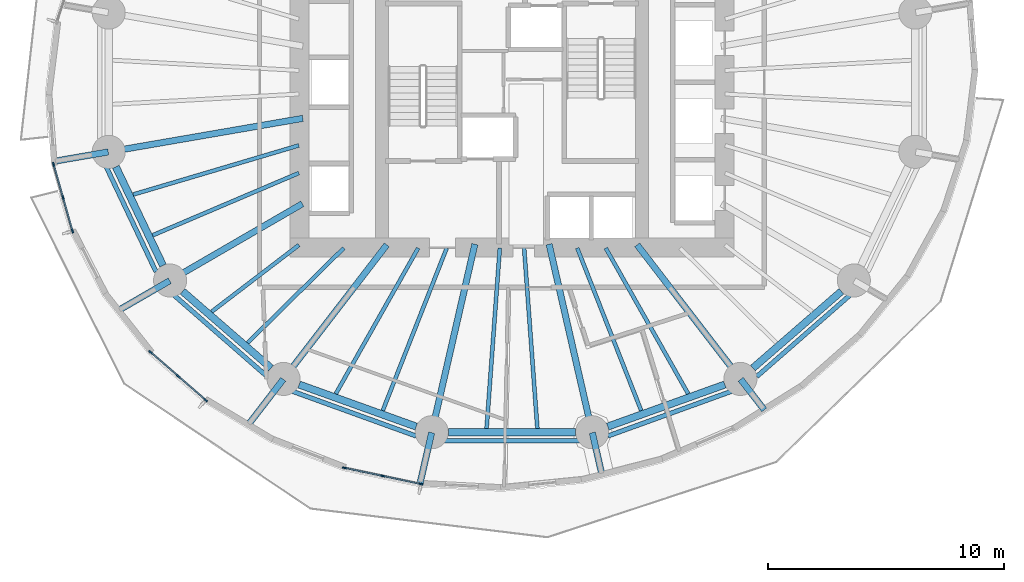
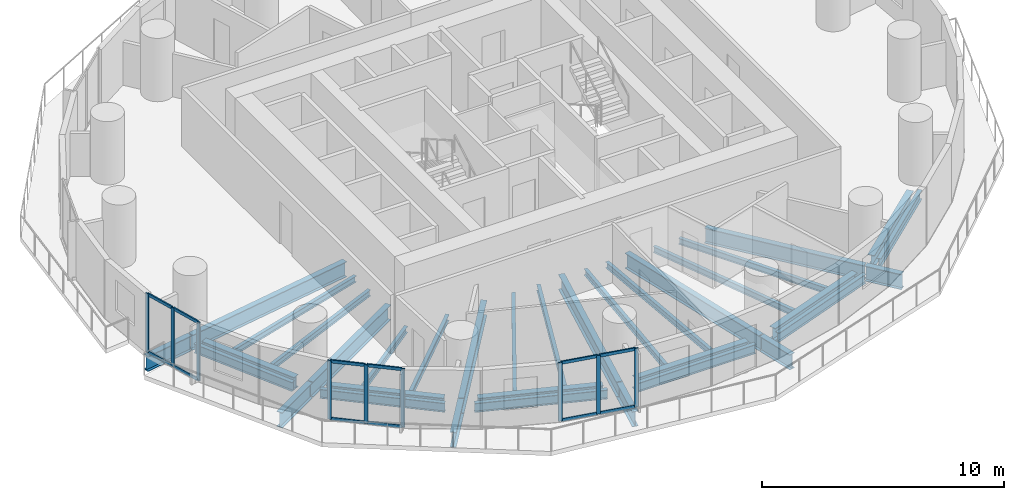
# One storey, part 2 of 14: 34 beams, 21 members, 3 elements without a shape of their own.
"""IFC4 building model written with IfcOpenShell, lengths in metres."""

from ifc_helpers import new_model, si_unit, direction, frame, origin, origin_2d, place, context, subcontext, project, spatial, rectangle, i_section, extrude, material, material_profile, profile_set, type_object, element, aggregate, save


model = new_model("IFC4")

# Units and contexts
model_context = context("Model", 3, precision=1e-05, world=origin(), true_north=direction((0.0, 1.0)))
body_context = subcontext(model_context, "Body", "Model", "MODEL_VIEW")
ifc_project = project(units=[si_unit("LENGTHUNIT", "METRE"), si_unit("AREAUNIT", "SQUARE_METRE"), si_unit("VOLUMEUNIT", "CUBIC_METRE"), si_unit("PLANEANGLEUNIT", "RADIAN"), si_unit("MASSUNIT", "GRAM", prefix="KILO")], contexts=[model_context])

# Site, building, storey
site_placement = place(None, origin())
site = spatial("IfcSite", under=ifc_project, at=site_placement, CompositionType="ELEMENT")
building_placement = place(site_placement, origin())
building = spatial("IfcBuilding", under=site, at=building_placement, Name="Veldorim Arch Residences", CompositionType="ELEMENT")
storey_placement = place(building_placement, frame((0.0, 0.0, 50.39990234375)))
storey = spatial("IfcBuildingStorey", under=building, at=storey_placement, Name="L14", CompositionType="ELEMENT", Elevation=50.39990234375)

# Beams
ifc_material_1 = material(Name="Steel S355", Category="steel")
ifc_material_profile_1 = material_profile(ifc_material_1, i_section(OverallWidth=0.30712890625, OverallDepth=0.6201171875, WebThickness=0.01416015625, FlangeThickness=0.023681640625, at=origin_2d()), Name="UB610x305x179")
ifc_profile_set_1 = profile_set([ifc_material_profile_1], Name="Steel S355")
beam_type_1 = type_object("IfcBeamType", Name="Structural Steel Beam UB610x305x179", PredefinedType="BEAM", material=ifc_profile_set_1)
beam_1_placement = place(storey_placement, frame((15.23583984375, 20.42236328125, -0.550048828125), z_axis=(0.430776422552, -0.902458682585, 0.0), x_axis=(0.902458682585, 0.430776422552, 0.0)))
element("IfcBeam", 1, at=beam_1_placement, inside=storey, type_object=beam_type_1, Name="L14 perimeter ring tie beam 09", PredefinedType="BEAM", context=body_context, shape_type="SweptSolid", body=[
    extrude(i_section(OverallWidth=0.30712890625, OverallDepth=0.6201171875, WebThickness=0.01416015625, FlangeThickness=0.023681640625, at=origin_2d()), origin(), (0.0, 0.0, 1.0), 4.63134765625),
])
beam_2_placement = place(storey_placement, frame((18.06103515625, 15.152099609375, -0.550048828125), z_axis=(0.755264734985, -0.655419850239, 0.0), x_axis=(0.655419850239, 0.755264734985, 0.0)))
element("IfcBeam", 2, at=beam_2_placement, inside=storey, type_object=beam_type_1, Name="L14 perimeter ring tie beam 10", PredefinedType="BEAM", context=body_context, shape_type="SweptSolid", body=[
    extrude(i_section(OverallWidth=0.30712890625, OverallDepth=0.6201171875, WebThickness=0.01416015625, FlangeThickness=0.023681640625, at=origin_2d()), origin(), (0.0, 0.0, 1.0), 4.956298828125),
])
beam_3_placement = place(storey_placement, frame((22.99169921875, 11.2080078125, -0.550048828125), z_axis=(0.941058113369, -0.338244922006, 0.0), x_axis=(0.338244922006, 0.941058113369, 0.0)))
element("IfcBeam", 3, at=beam_3_placement, inside=storey, type_object=beam_type_1, Name="L14 perimeter ring tie beam 11", PredefinedType="BEAM", context=body_context, shape_type="SweptSolid", body=[
    extrude(i_section(OverallWidth=0.30712890625, OverallDepth=0.6201171875, WebThickness=0.01416015625, FlangeThickness=0.023681640625, at=origin_2d()), origin(), (0.0, 0.0, 1.0), 5.265380859375),
])
beam_4_placement = place(storey_placement, frame((29.305419921875, 9.190185546875, -0.550048828125), z_axis=(1.0, 0.0, 0.0), x_axis=(0.0, 1.0, 0.0)))
element("IfcBeam", 4, at=beam_4_placement, inside=storey, type_object=beam_type_1, Name="L14 perimeter ring tie beam 12", PredefinedType="BEAM", context=body_context, shape_type="SweptSolid", body=[
    extrude(i_section(OverallWidth=0.30712890625, OverallDepth=0.6201171875, WebThickness=0.01416015625, FlangeThickness=0.023681640625, at=origin_2d()), origin(), (0.0, 0.0, 1.0), 5.38916015625),
])
beam_5_placement = place(storey_placement, frame((36.05322265625, 9.427001953125, -0.550048828125), z_axis=(0.941058113369, 0.338244922006, 0.0), x_axis=(-0.338244922006, 0.941058113369, 0.0)))
element("IfcBeam", 5, at=beam_5_placement, inside=storey, type_object=beam_type_1, Name="L14 perimeter ring tie beam 13", PredefinedType="BEAM", context=body_context, shape_type="SweptSolid", body=[
    extrude(i_section(OverallWidth=0.30712890625, OverallDepth=0.6201171875, WebThickness=0.01416015625, FlangeThickness=0.023681640625, at=origin_2d()), origin(), (0.0, 0.0, 1.0), 5.265380859375),
])
beam_6_placement = place(storey_placement, frame((42.195556640625, 11.903564453125, -0.550048828125), z_axis=(0.755264734985, 0.655419850239, 0.0), x_axis=(-0.655419850239, 0.755264734985, 0.0)))
element("IfcBeam", 6, at=beam_6_placement, inside=storey, type_object=beam_type_1, Name="L14 perimeter ring tie beam 14", PredefinedType="BEAM", context=body_context, shape_type="SweptSolid", body=[
    extrude(i_section(OverallWidth=0.30712890625, OverallDepth=0.6201171875, WebThickness=0.01416015625, FlangeThickness=0.023681640625, at=origin_2d()), origin(), (0.0, 0.0, 1.0), 4.956298828125),
])
ifc_material_2 = material(Name="Steel S355", Category="steel")
ifc_material_profile_2 = material_profile(ifc_material_2, i_section(OverallWidth=0.26806640625, OverallDepth=0.769775390625, WebThickness=0.015625, FlangeThickness=0.025390625, at=origin_2d()), Name="UB762x267x197")
ifc_profile_set_2 = profile_set([ifc_material_profile_2], Name="Steel S355")
beam_type_2 = type_object("IfcBeamType", Name="Structural Steel GIRDER UB762x267x197", PredefinedType="USERDEFINED", material=ifc_profile_set_2)
beam_7_placement = place(storey_placement, frame((23.147705078125, 22.471923828125, -0.624755859375), z_axis=(-0.985427548249, -0.170095699979, 0.0), x_axis=(0.170095699979, -0.985427548249, 0.0)))
element("IfcBeam", 7, at=beam_7_placement, inside=storey, type_object=beam_type_2, Name="L14 radial floor girder 09", ObjectType="GIRDER", PredefinedType="USERDEFINED", context=body_context, shape_type="SweptSolid", body=[
    extrude(i_section(OverallWidth=0.26806640625, OverallDepth=0.769775390625, WebThickness=0.015625, FlangeThickness=0.025390625, at=origin_2d()), origin(), (0.0, 0.0, 1.0), 8.314697265625),
])
beam_8_placement = place(storey_placement, frame((14.91455078125, 21.05078125, -0.624755859375), z_axis=(-0.98542353719, -0.170118935902, 0.0), x_axis=(0.170118935902, -0.98542353719, 0.0)))
element("IfcBeam", 8, at=beam_8_placement, inside=storey, type_object=beam_type_2, Name="L14 radial edge cantilever girder 09", ObjectType="GIRDER", PredefinedType="USERDEFINED", context=body_context, shape_type="SweptSolid", body=[
    extrude(i_section(OverallWidth=0.26806640625, OverallDepth=0.769775390625, WebThickness=0.015625, FlangeThickness=0.025390625, at=origin_2d()), origin(), (0.0, 0.0, 1.0), 2.35205078125),
])
beam_9_placement = place(storey_placement, frame((23.1298828125, 18.8564453125, -0.624755859375), z_axis=(-0.865088348752, -0.501619525989, 0.0), x_axis=(0.501619525989, -0.865088348752, 0.0)))
element("IfcBeam", 9, at=beam_9_placement, inside=storey, type_object=beam_type_2, Name="L14 radial floor girder 10", ObjectType="GIRDER", PredefinedType="USERDEFINED", context=body_context, shape_type="SweptSolid", body=[
    extrude(i_section(OverallWidth=0.26806640625, OverallDepth=0.769775390625, WebThickness=0.015625, FlangeThickness=0.025390625, at=origin_2d()), origin(), (0.0, 0.0, 1.0), 6.4501953125),
])
beam_10_placement = place(storey_placement, frame((17.51513671875, 15.600830078125, -0.624755859375), z_axis=(-0.86507809522, -0.501637208718, 0.0), x_axis=(0.501637208718, -0.86507809522, 0.0)))
element("IfcBeam", 10, at=beam_10_placement, inside=storey, type_object=beam_type_2, Name="L14 radial edge cantilever girder 10", ObjectType="GIRDER", PredefinedType="USERDEFINED", context=body_context, shape_type="SweptSolid", body=[
    extrude(i_section(OverallWidth=0.26806640625, OverallDepth=0.769775390625, WebThickness=0.015625, FlangeThickness=0.025390625, at=origin_2d()), origin(), (0.0, 0.0, 1.0), 2.52978515625),
])
beam_11_placement = place(storey_placement, frame((26.701904296875, 17.118896484375, -0.624755859375), z_axis=(-0.610082439157, -0.792337943956, 0.0), x_axis=(0.792337943956, -0.610082439157, 0.0)))
element("IfcBeam", 11, at=beam_11_placement, inside=storey, type_object=beam_type_2, Name="L14 radial floor girder 11", ObjectType="GIRDER", PredefinedType="USERDEFINED", context=body_context, shape_type="SweptSolid", body=[
    extrude(i_section(OverallWidth=0.26806640625, OverallDepth=0.769775390625, WebThickness=0.015625, FlangeThickness=0.025390625, at=origin_2d()), origin(), (0.0, 0.0, 1.0), 7.14111328125),
])
beam_12_placement = place(storey_placement, frame((22.32080078125, 11.428955078125, -0.624755859375), z_axis=(-0.609999263859, -0.792401980116, 0.0), x_axis=(0.792401980116, -0.609999263859, 0.0)))
element("IfcBeam", 12, at=beam_12_placement, inside=storey, type_object=beam_type_2, Name="L14 radial edge cantilever girder 11", ObjectType="GIRDER", PredefinedType="USERDEFINED", context=body_context, shape_type="SweptSolid", body=[
    extrude(i_section(OverallWidth=0.26806640625, OverallDepth=0.769775390625, WebThickness=0.015625, FlangeThickness=0.025390625, at=origin_2d()), origin(), (0.0, 0.0, 1.0), 2.453369140625),
])
beam_13_placement = place(storey_placement, frame((30.428955078125, 17.146240234375, -0.624755859375), z_axis=(-0.223411766201, -0.974724157248, 0.0), x_axis=(0.974724157248, -0.223411766201, 0.0)))
element("IfcBeam", 13, at=beam_13_placement, inside=storey, type_object=beam_type_2, Name="L14 radial floor girder 12", ObjectType="GIRDER", PredefinedType="USERDEFINED", context=body_context, shape_type="SweptSolid", body=[
    extrude(i_section(OverallWidth=0.26806640625, OverallDepth=0.769775390625, WebThickness=0.015625, FlangeThickness=0.025390625, at=origin_2d()), origin(), (0.0, 0.0, 1.0), 8.142333984375),
])
beam_14_placement = place(storey_placement, frame((28.600830078125, 9.170654296875, -0.624755859375), z_axis=(-0.223367414268, -0.974734321876, 0.0), x_axis=(0.974734321876, -0.223367414268, 0.0)))
element("IfcBeam", 14, at=beam_14_placement, inside=storey, type_object=beam_type_2, Name="L14 radial edge cantilever girder 12", ObjectType="GIRDER", PredefinedType="USERDEFINED", context=body_context, shape_type="SweptSolid", body=[
    extrude(i_section(OverallWidth=0.26806640625, OverallDepth=0.769775390625, WebThickness=0.015625, FlangeThickness=0.025390625, at=origin_2d()), origin(), (0.0, 0.0, 1.0), 2.211181640625),
])
beam_15_placement = place(storey_placement, frame((33.571044921875, 17.146240234375, -0.624755859375), z_axis=(0.223411766201, -0.974724157248, 0.0), x_axis=(0.974724157248, 0.223411766201, 0.0)))
element("IfcBeam", 15, at=beam_15_placement, inside=storey, type_object=beam_type_2, Name="L14 radial floor girder 13", ObjectType="GIRDER", PredefinedType="USERDEFINED", context=body_context, shape_type="SweptSolid", body=[
    extrude(i_section(OverallWidth=0.26806640625, OverallDepth=0.769775390625, WebThickness=0.015625, FlangeThickness=0.025390625, at=origin_2d()), origin(), (0.0, 0.0, 1.0), 8.142333984375),
])
beam_16_placement = place(storey_placement, frame((35.399169921875, 9.170654296875, -0.624755859375), z_axis=(0.223378778819, -0.974731717537, 0.0), x_axis=(0.974731717537, 0.223378778819, 0.0)))
element("IfcBeam", 16, at=beam_16_placement, inside=storey, type_object=beam_type_2, Name="L14 radial edge cantilever girder 13", ObjectType="GIRDER", PredefinedType="USERDEFINED", context=body_context, shape_type="SweptSolid", body=[
    extrude(i_section(OverallWidth=0.26806640625, OverallDepth=0.769775390625, WebThickness=0.015625, FlangeThickness=0.025390625, at=origin_2d()), origin(), (0.0, 0.0, 1.0), 1.8427734375),
])
beam_17_placement = place(storey_placement, frame((37.298095703125, 17.118896484375, -0.624755859375), z_axis=(0.610082439157, -0.792337943956, 0.0), x_axis=(0.792337943956, 0.610082439157, 0.0)))
element("IfcBeam", 17, at=beam_17_placement, inside=storey, type_object=beam_type_2, Name="L14 radial floor girder 14", ObjectType="GIRDER", PredefinedType="USERDEFINED", context=body_context, shape_type="SweptSolid", body=[
    extrude(i_section(OverallWidth=0.26806640625, OverallDepth=0.769775390625, WebThickness=0.015625, FlangeThickness=0.025390625, at=origin_2d()), origin(), (0.0, 0.0, 1.0), 7.14111328125),
])
beam_18_placement = place(storey_placement, frame((41.67919921875, 11.428955078125, -0.624755859375), z_axis=(0.610020580693, -0.792385569739, 0.0), x_axis=(0.792385569739, 0.610020580693, 0.0)))
element("IfcBeam", 18, at=beam_18_placement, inside=storey, type_object=beam_type_2, Name="L14 radial edge cantilever girder 14", ObjectType="GIRDER", PredefinedType="USERDEFINED", context=body_context, shape_type="SweptSolid", body=[
    extrude(i_section(OverallWidth=0.26806640625, OverallDepth=0.769775390625, WebThickness=0.015625, FlangeThickness=0.025390625, at=origin_2d()), origin(), (0.0, 0.0, 1.0), 1.63720703125),
])
ifc_material_3 = material(Name="Steel S355", Category="steel")
ifc_material_profile_3 = material_profile(ifc_material_3, i_section(OverallWidth=0.165771484375, OverallDepth=0.306640625, WebThickness=0.006591796875, FlangeThickness=0.01171875, at=origin_2d()), Name="UB305x165x46")
ifc_profile_set_3 = profile_set([ifc_material_profile_3], Name="Steel S355")
beam_type_3 = type_object("IfcBeamType", Name="Structural Steel Joist UB305x165x46", PredefinedType="JOIST", material=ifc_profile_set_3)
beam_19_placement = place(storey_placement, frame((22.980712890625, 21.32666015625, -0.393310546875), z_axis=(-0.958766778771, -0.284194060325, 0.0), x_axis=(0.284194060325, -0.958766778771, 0.0)))
element("IfcBeam", 19, at=beam_19_placement, inside=storey, type_object=beam_type_3, Name="L14 secondary radial floor joist 09-1", PredefinedType="JOIST", context=body_context, shape_type="SweptSolid", body=[
    extrude(i_section(OverallWidth=0.165771484375, OverallDepth=0.306640625, WebThickness=0.006591796875, FlangeThickness=0.01171875, at=origin_2d()), origin(), (0.0, 0.0, 1.0), 7.3115234375),
])
beam_20_placement = place(storey_placement, frame((22.981689453125, 20.15869140625, -0.393310546875), z_axis=(-0.920032948668, -0.391841005213, 0.0), x_axis=(0.391841005213, -0.920032948668, 0.0)))
element("IfcBeam", 20, at=beam_20_placement, inside=storey, type_object=beam_type_3, Name="L14 secondary radial floor joist 09-2", PredefinedType="JOIST", context=body_context, shape_type="SweptSolid", body=[
    extrude(i_section(OverallWidth=0.165771484375, OverallDepth=0.306640625, WebThickness=0.006591796875, FlangeThickness=0.01171875, at=origin_2d()), origin(), (0.0, 0.0, 1.0), 6.723388671875),
])
beam_21_placement = place(storey_placement, frame((22.984130859375, 17.1123046875, -0.393310546875), z_axis=(-0.794666431166, -0.607046343517, 0.0), x_axis=(0.607046343517, -0.794666431166, 0.0)))
element("IfcBeam", 21, at=beam_21_placement, inside=storey, type_object=beam_type_3, Name="L14 secondary radial floor joist 10-1", PredefinedType="JOIST", context=body_context, shape_type="SweptSolid", body=[
    extrude(i_section(OverallWidth=0.165771484375, OverallDepth=0.306640625, WebThickness=0.006591796875, FlangeThickness=0.01171875, at=origin_2d()), origin(), (0.0, 0.0, 1.0), 4.646728515625),
])
beam_22_placement = place(storey_placement, frame((24.885009765625, 16.986083984375, -0.393310546875), z_axis=(-0.712129078446, -0.702048556463, 0.0), x_axis=(0.702048556463, -0.712129078446, 0.0)))
element("IfcBeam", 22, at=beam_22_placement, inside=storey, type_object=beam_type_3, Name="L14 secondary radial floor joist 10-2", PredefinedType="JOIST", context=body_context, shape_type="SweptSolid", body=[
    extrude(i_section(OverallWidth=0.165771484375, OverallDepth=0.306640625, WebThickness=0.006591796875, FlangeThickness=0.01171875, at=origin_2d()), origin(), (0.0, 0.0, 1.0), 5.715576171875),
])
beam_23_placement = place(storey_placement, frame((28.03125, 16.982666015625, -0.393310546875), z_axis=(-0.492292335352, -0.870429926274, 0.0), x_axis=(0.870429926274, -0.492292335352, 0.0)))
element("IfcBeam", 23, at=beam_23_placement, inside=storey, type_object=beam_type_3, Name="L14 secondary radial floor joist 11-1", PredefinedType="JOIST", context=body_context, shape_type="SweptSolid", body=[
    extrude(i_section(OverallWidth=0.165771484375, OverallDepth=0.306640625, WebThickness=0.006591796875, FlangeThickness=0.01171875, at=origin_2d()), origin(), (0.0, 0.0, 1.0), 7.083251953125),
])
beam_24_placement = place(storey_placement, frame((29.237548828125, 16.9814453125, -0.393310546875), z_axis=(-0.366229833858, -0.930524426758, 0.0), x_axis=(0.930524426758, -0.366229833858, 0.0)))
element("IfcBeam", 24, at=beam_24_placement, inside=storey, type_object=beam_type_3, Name="L14 secondary radial floor joist 11-2", PredefinedType="JOIST", context=body_context, shape_type="SweptSolid", body=[
    extrude(i_section(OverallWidth=0.165771484375, OverallDepth=0.306640625, WebThickness=0.006591796875, FlangeThickness=0.01171875, at=origin_2d()), origin(), (0.0, 0.0, 1.0), 7.3896484375),
])
for number, where, z_axis, x_axis, name in (
    (25, (31.485107421875, 16.97998046875, -0.393310546875), (-0.073167620373, -0.997319657547, 0.0), (0.997319657547, -0.073167620373, 0.0), "L14 secondary radial floor joist 12-1"),
    (26, (32.514892578125, 16.97998046875, -0.393310546875), (0.073167620373, -0.997319657547, 0.0), (0.997319657547, 0.073167620373, 0.0), "L14 secondary radial floor joist 12-2"),
):
    element("IfcBeam", number, at=place(storey_placement, frame(where, z_axis=z_axis, x_axis=x_axis)), inside=storey, type_object=beam_type_3, Name=name, PredefinedType="JOIST", context=body_context, shape_type="SweptSolid", body=[
        extrude(i_section(OverallWidth=0.165771484375, OverallDepth=0.306640625, WebThickness=0.006591796875, FlangeThickness=0.01171875, at=origin_2d()), origin(), (0.0, 0.0, 1.0), 7.651123046875),
    ])
beam_25_placement = place(storey_placement, frame((34.762451171875, 16.9814453125, -0.393310546875), z_axis=(0.366229833858, -0.930524426758, 0.0), x_axis=(0.930524426758, 0.366229833858, 0.0)))
element("IfcBeam", 27, at=beam_25_placement, inside=storey, type_object=beam_type_3, Name="L14 secondary radial floor joist 13-1", PredefinedType="JOIST", context=body_context, shape_type="SweptSolid", body=[
    extrude(i_section(OverallWidth=0.165771484375, OverallDepth=0.306640625, WebThickness=0.006591796875, FlangeThickness=0.01171875, at=origin_2d()), origin(), (0.0, 0.0, 1.0), 7.3896484375),
])
beam_26_placement = place(storey_placement, frame((35.96875, 16.982666015625, -0.393310546875), z_axis=(0.492292335352, -0.870429926274, 0.0), x_axis=(0.870429926274, 0.492292335352, 0.0)))
element("IfcBeam", 28, at=beam_26_placement, inside=storey, type_object=beam_type_3, Name="L14 secondary radial floor joist 13-2", PredefinedType="JOIST", context=body_context, shape_type="SweptSolid", body=[
    extrude(i_section(OverallWidth=0.165771484375, OverallDepth=0.306640625, WebThickness=0.006591796875, FlangeThickness=0.01171875, at=origin_2d()), origin(), (0.0, 0.0, 1.0), 7.083251953125),
])
ifc_material_4 = material(Name="Steel S355", Category="steel")
ifc_material_profile_4 = material_profile(ifc_material_4, i_section(OverallWidth=0.19140625, OverallDepth=0.4599609375, WebThickness=0.010009765625, FlangeThickness=0.01611328125, at=origin_2d()), Name="UB457x191x82")
ifc_profile_set_4 = profile_set([ifc_material_profile_4], Name="Steel S355")
beam_type_4 = type_object("IfcBeamType", Name="Structural Steel Spandrel UB457x191x82", PredefinedType="SPANDREL", material=ifc_profile_set_4)
beam_27_placement = place(storey_placement, frame((14.823974609375, 20.43310546875, -0.489990234375), z_axis=(0.428847831425, -0.903376741721, 0.0), x_axis=(0.903376741721, 0.428847831425, 0.0)))
element("IfcBeam", 29, at=beam_27_placement, inside=storey, type_object=beam_type_4, Name="L14 perimeter chord spandrel beam 09", PredefinedType="SPANDREL", context=body_context, shape_type="SweptSolid", body=[
    extrude(i_section(OverallWidth=0.19140625, OverallDepth=0.4599609375, WebThickness=0.010009765625, FlangeThickness=0.01611328125, at=origin_2d()), origin(), (0.0, 0.0, 1.0), 4.932861328125),
])
beam_28_placement = place(storey_placement, frame((17.667724609375, 15.01513671875, -0.489990234375), z_axis=(0.75323350982, -0.657753205758, 0.0), x_axis=(0.657753205758, 0.75323350982, 0.0)))
element("IfcBeam", 30, at=beam_28_placement, inside=storey, type_object=beam_type_4, Name="L14 perimeter chord spandrel beam 10", PredefinedType="SPANDREL", context=body_context, shape_type="SweptSolid", body=[
    extrude(i_section(OverallWidth=0.19140625, OverallDepth=0.4599609375, WebThickness=0.010009765625, FlangeThickness=0.01611328125, at=origin_2d()), origin(), (0.0, 0.0, 1.0), 5.27001953125),
])
beam_29_placement = place(storey_placement, frame((22.680419921875, 10.93408203125, -0.489990234375), z_axis=(0.940268980555, -0.340432437064, 0.0), x_axis=(0.340432437064, 0.940268980555, 0.0)))
element("IfcBeam", 31, at=beam_29_placement, inside=storey, type_object=beam_type_4, Name="L14 perimeter chord spandrel beam 11", PredefinedType="SPANDREL", context=body_context, shape_type="SweptSolid", body=[
    extrude(i_section(OverallWidth=0.19140625, OverallDepth=0.4599609375, WebThickness=0.010009765625, FlangeThickness=0.01611328125, at=origin_2d()), origin(), (0.0, 0.0, 1.0), 5.59521484375),
])
beam_30_placement = place(storey_placement, frame((29.136474609375, 8.819580078125, -0.489990234375), z_axis=(1.0, 0.0, 0.0), x_axis=(0.0, 1.0, 0.0)))
element("IfcBeam", 32, at=beam_30_placement, inside=storey, type_object=beam_type_4, Name="L14 perimeter chord spandrel beam 12", PredefinedType="SPANDREL", context=body_context, shape_type="SweptSolid", body=[
    extrude(i_section(OverallWidth=0.19140625, OverallDepth=0.4599609375, WebThickness=0.010009765625, FlangeThickness=0.01611328125, at=origin_2d()), origin(), (0.0, 0.0, 1.0), 5.72705078125),
])
beam_31_placement = place(storey_placement, frame((36.05859375, 9.029296875, -0.489990234375), z_axis=(0.940268980555, 0.340432437064, 0.0), x_axis=(-0.340432437064, 0.940268980555, 0.0)))
element("IfcBeam", 33, at=beam_31_placement, inside=storey, type_object=beam_type_4, Name="L14 perimeter chord spandrel beam 13", PredefinedType="SPANDREL", context=body_context, shape_type="SweptSolid", body=[
    extrude(i_section(OverallWidth=0.19140625, OverallDepth=0.4599609375, WebThickness=0.010009765625, FlangeThickness=0.01611328125, at=origin_2d()), origin(), (0.0, 0.0, 1.0), 5.59521484375),
])
beam_32_placement = place(storey_placement, frame((42.36279296875, 11.548828125, -0.489990234375), z_axis=(0.75323350982, 0.657753205758, 0.0), x_axis=(-0.657753205758, 0.75323350982, 0.0)))
element("IfcBeam", 34, at=beam_32_placement, inside=storey, type_object=beam_type_4, Name="L14 perimeter chord spandrel beam 14", PredefinedType="SPANDREL", context=body_context, shape_type="SweptSolid", body=[
    extrude(i_section(OverallWidth=0.19140625, OverallDepth=0.4599609375, WebThickness=0.010009765625, FlangeThickness=0.01611328125, at=origin_2d()), origin(), (0.0, 0.0, 1.0), 5.27001953125),
])

# Curtain wall, members
ifc_material_5 = material(Name="Aluminium", Category="aluminium")
curtain_wall_type = type_object("IfcCurtainWallType", Name="Zone 1 Acoustic Low-E Unitised Curtain Wall", PredefinedType="NOTDEFINED", material=ifc_material_5)
curtain_wall_1_placement = place(storey_placement, origin())
curtain_wall_1 = element("IfcCurtainWall", 35, at=curtain_wall_1_placement, inside=storey, type_object=curtain_wall_type, Name="L14 unitised curtain wall bay 19", PredefinedType="NOTDEFINED")
ifc_material_6 = material(Name="Aluminium", Category="aluminium")
ifc_material_profile_5 = material_profile(ifc_material_6, rectangle(XDim=0.06494140625, YDim=0.175048828125, at=origin_2d()), Name="ALU_MUL_65x175")
ifc_profile_set_5 = profile_set([ifc_material_profile_5], Name="Aluminium")
member_type_1 = type_object("IfcMemberType", Name="Zone 1 Acoustic Low-E Unitised Curtain Wall Mullion 65x175", PredefinedType="MULLION", material=ifc_profile_set_5)
member_1_placement = place(storey_placement, frame((13.40234375, 17.702392578125, 0.0), z_axis=(0.0, 0.0, 1.0), x_axis=(-0.962071370887, -0.27279786898, 0.0)))
member_1 = element("IfcMember", 36, at=member_1_placement, type_object=member_type_1, Name="CW-Z1 mullion 1", PredefinedType="MULLION", context=body_context, shape_type="SweptSolid", body=[
    extrude(rectangle(XDim=0.06494140625, YDim=0.175048828125, at=origin_2d()), origin(), (0.0, 0.0, 1.0), 2.960205078125),
])
member_2_placement = place(storey_placement, frame((13.001708984375, 19.114990234375, 0.0), z_axis=(0.0, 0.0, 1.0), x_axis=(-0.962071370887, -0.27279786898, 0.0)))
member_2 = element("IfcMember", 37, at=member_2_placement, type_object=member_type_1, Name="CW-Z1 mullion 2", PredefinedType="MULLION", context=body_context, shape_type="SweptSolid", body=[
    extrude(rectangle(XDim=0.06494140625, YDim=0.175048828125, at=origin_2d()), origin(), (0.0, 0.0, 1.0), 2.960205078125),
])
member_3_placement = place(storey_placement, frame((12.60107421875, 20.52783203125, 0.0), z_axis=(0.0, 0.0, 1.0), x_axis=(-0.962071370887, -0.27279786898, 0.0)))
member_3 = element("IfcMember", 38, at=member_3_placement, type_object=member_type_1, Name="CW-Z1 mullion 3", PredefinedType="MULLION", context=body_context, shape_type="SweptSolid", body=[
    extrude(rectangle(XDim=0.06494140625, YDim=0.175048828125, at=origin_2d()), origin(), (0.0, 0.0, 1.0), 2.960205078125),
])

curtain_wall_2_placement = place(storey_placement, origin())
curtain_wall_2 = element("IfcCurtainWall", 39, at=curtain_wall_2_placement, inside=storey, type_object=curtain_wall_type, Name="L14 unitised curtain wall bay 22", PredefinedType="NOTDEFINED")
member_4_placement = place(storey_placement, frame((19.0361328125, 10.54931640625, 0.0), z_axis=(0.0, 0.0, 1.0), x_axis=(-0.656718522267, -0.754135785195, 0.0)))
member_4 = element("IfcMember", 40, at=member_4_placement, type_object=member_type_1, Name="CW-Z1 mullion 1", PredefinedType="MULLION", context=body_context, shape_type="SweptSolid", body=[
    extrude(rectangle(XDim=0.06494140625, YDim=0.175048828125, at=origin_2d()), origin(), (0.0, 0.0, 1.0), 2.960205078125),
])
member_5_placement = place(storey_placement, frame((17.87109375, 11.563720703125, 0.0), z_axis=(0.0, 0.0, 1.0), x_axis=(-0.656718522267, -0.754135785195, 0.0)))
member_5 = element("IfcMember", 41, at=member_5_placement, type_object=member_type_1, Name="CW-Z1 mullion 2", PredefinedType="MULLION", context=body_context, shape_type="SweptSolid", body=[
    extrude(rectangle(XDim=0.06494140625, YDim=0.175048828125, at=origin_2d()), origin(), (0.0, 0.0, 1.0), 2.960205078125),
])
member_6_placement = place(storey_placement, frame((16.706298828125, 12.578125, 0.0), z_axis=(0.0, 0.0, 1.0), x_axis=(-0.656718522267, -0.754135785195, 0.0)))
member_6 = element("IfcMember", 42, at=member_6_placement, type_object=member_type_1, Name="CW-Z1 mullion 3", PredefinedType="MULLION", context=body_context, shape_type="SweptSolid", body=[
    extrude(rectangle(XDim=0.06494140625, YDim=0.175048828125, at=origin_2d()), origin(), (0.0, 0.0, 1.0), 2.960205078125),
])

curtain_wall_3_placement = place(storey_placement, origin())
curtain_wall_3 = element("IfcCurtainWall", 43, at=curtain_wall_3_placement, inside=storey, type_object=curtain_wall_type, Name="L14 unitised curtain wall bay 25", PredefinedType="NOTDEFINED")
member_7_placement = place(storey_placement, frame((28.148193359375, 6.996337890625, 0.0), z_axis=(0.0, 0.0, 1.0), x_axis=(-0.207442343439, -0.978247245919, 0.0)))
member_7 = element("IfcMember", 44, at=member_7_placement, type_object=member_type_1, Name="CW-Z1 mullion 1", PredefinedType="MULLION", context=body_context, shape_type="SweptSolid", body=[
    extrude(rectangle(XDim=0.06494140625, YDim=0.175048828125, at=origin_2d()), origin(), (0.0, 0.0, 1.0), 2.960205078125),
])
member_8_placement = place(storey_placement, frame((26.529296875, 7.339599609375, 0.0), z_axis=(0.0, 0.0, 1.0), x_axis=(-0.207442343439, -0.978247245919, 0.0)))
member_8 = element("IfcMember", 45, at=member_8_placement, type_object=member_type_1, Name="CW-Z1 mullion 2", PredefinedType="MULLION", context=body_context, shape_type="SweptSolid", body=[
    extrude(rectangle(XDim=0.06494140625, YDim=0.175048828125, at=origin_2d()), origin(), (0.0, 0.0, 1.0), 2.960205078125),
])
member_9_placement = place(storey_placement, frame((24.910400390625, 7.682861328125, 0.0), z_axis=(0.0, 0.0, 1.0), x_axis=(-0.207442343439, -0.978247245919, 0.0)))
member_9 = element("IfcMember", 46, at=member_9_placement, type_object=member_type_1, Name="CW-Z1 mullion 3", PredefinedType="MULLION", context=body_context, shape_type="SweptSolid", body=[
    extrude(rectangle(XDim=0.06494140625, YDim=0.175048828125, at=origin_2d()), origin(), (0.0, 0.0, 1.0), 2.960205078125),
])

# Member
ifc_material_7 = material(Name="Aluminium", Category="aluminium")
ifc_material_profile_6 = material_profile(ifc_material_7, rectangle(XDim=0.06494140625, YDim=0.14990234375, at=origin_2d()), Name="ALU_TRN_65x150")
ifc_profile_set_6 = profile_set([ifc_material_profile_6], Name="Aluminium")
member_type_2 = type_object("IfcMemberType", Name="Zone 1 Acoustic Low-E Unitised Curtain Wall Transom 65x150", PredefinedType="USERDEFINED", material=ifc_profile_set_6)
member_10_placement = place(storey_placement, frame((13.393310546875, 17.733642578125, 0.03271484375), z_axis=(-0.272790453274, 0.962073473599, 0.0), x_axis=(-0.962073473599, -0.272790453274, 0.0)))
member_10 = element("IfcMember", 47, at=member_10_placement, type_object=member_type_2, Name="CW-Z1 transom 1.1", ObjectType="TRANSOM", PredefinedType="USERDEFINED", context=body_context, shape_type="SweptSolid", body=[
    extrude(rectangle(XDim=0.06494140625, YDim=0.14990234375, at=origin_2d()), origin(), (0.0, 0.0, 1.0), 1.4033203125),
])

member_11_placement = place(storey_placement, frame((13.393310546875, 17.733642578125, 2.927490234375), z_axis=(-0.272790453274, 0.962073473599, 0.0), x_axis=(-0.962073473599, -0.272790453274, 0.0)))
member_11 = element("IfcMember", 48, at=member_11_placement, type_object=member_type_2, Name="CW-Z1 transom 1.2", ObjectType="TRANSOM", PredefinedType="USERDEFINED", context=body_context, shape_type="SweptSolid", body=[
    extrude(rectangle(XDim=0.06494140625, YDim=0.14990234375, at=origin_2d()), origin(), (0.0, 0.0, 1.0), 1.4033203125),
])

member_12_placement = place(storey_placement, frame((12.99267578125, 19.146484375, 0.03271484375), z_axis=(-0.272790453274, 0.962073473599, 0.0), x_axis=(-0.962073473599, -0.272790453274, 0.0)))
member_12 = element("IfcMember", 49, at=member_12_placement, type_object=member_type_2, Name="CW-Z1 transom 2.1", ObjectType="TRANSOM", PredefinedType="USERDEFINED", context=body_context, shape_type="SweptSolid", body=[
    extrude(rectangle(XDim=0.06494140625, YDim=0.14990234375, at=origin_2d()), origin(), (0.0, 0.0, 1.0), 1.4033203125),
])

member_13_placement = place(storey_placement, frame((12.99267578125, 19.146484375, 2.927490234375), z_axis=(-0.272790453274, 0.962073473599, 0.0), x_axis=(-0.962073473599, -0.272790453274, 0.0)))
member_13 = element("IfcMember", 50, at=member_13_placement, type_object=member_type_2, Name="CW-Z1 transom 2.2", ObjectType="TRANSOM", PredefinedType="USERDEFINED", context=body_context, shape_type="SweptSolid", body=[
    extrude(rectangle(XDim=0.06494140625, YDim=0.14990234375, at=origin_2d()), origin(), (0.0, 0.0, 1.0), 1.4033203125),
])

aggregate(curtain_wall_1, [member_1, member_2, member_3, member_10, member_11, member_12, member_13])

member_14_placement = place(storey_placement, frame((19.011474609375, 10.570556640625, 0.03271484375), z_axis=(-0.754107958252, 0.656750475677, 0.0), x_axis=(-0.656750475677, -0.754107958252, 0.0)))
member_14 = element("IfcMember", 51, at=member_14_placement, type_object=member_type_2, Name="CW-Z1 transom 1.1", ObjectType="TRANSOM", PredefinedType="USERDEFINED", context=body_context, shape_type="SweptSolid", body=[
    extrude(rectangle(XDim=0.06494140625, YDim=0.14990234375, at=origin_2d()), origin(), (0.0, 0.0, 1.0), 1.4794921875),
])

member_15_placement = place(storey_placement, frame((19.011474609375, 10.570556640625, 2.927490234375), z_axis=(-0.754107958252, 0.656750475677, 0.0), x_axis=(-0.656750475677, -0.754107958252, 0.0)))
member_15 = element("IfcMember", 52, at=member_15_placement, type_object=member_type_2, Name="CW-Z1 transom 1.2", ObjectType="TRANSOM", PredefinedType="USERDEFINED", context=body_context, shape_type="SweptSolid", body=[
    extrude(rectangle(XDim=0.06494140625, YDim=0.14990234375, at=origin_2d()), origin(), (0.0, 0.0, 1.0), 1.4794921875),
])

member_16_placement = place(storey_placement, frame((17.8466796875, 11.5849609375, 0.03271484375), z_axis=(-0.75409740977, 0.656762587682, 0.0), x_axis=(-0.656762587682, -0.75409740977, 0.0)))
member_16 = element("IfcMember", 53, at=member_16_placement, type_object=member_type_2, Name="CW-Z1 transom 2.1", ObjectType="TRANSOM", PredefinedType="USERDEFINED", context=body_context, shape_type="SweptSolid", body=[
    extrude(rectangle(XDim=0.06494140625, YDim=0.14990234375, at=origin_2d()), origin(), (0.0, 0.0, 1.0), 1.47998046875),
])

member_17_placement = place(storey_placement, frame((17.8466796875, 11.5849609375, 2.927490234375), z_axis=(-0.75409740977, 0.656762587682, 0.0), x_axis=(-0.656762587682, -0.75409740977, 0.0)))
member_17 = element("IfcMember", 54, at=member_17_placement, type_object=member_type_2, Name="CW-Z1 transom 2.2", ObjectType="TRANSOM", PredefinedType="USERDEFINED", context=body_context, shape_type="SweptSolid", body=[
    extrude(rectangle(XDim=0.06494140625, YDim=0.14990234375, at=origin_2d()), origin(), (0.0, 0.0, 1.0), 1.47998046875),
])

aggregate(curtain_wall_2, [member_4, member_5, member_6, member_14, member_15, member_16, member_17])

member_18_placement = place(storey_placement, frame((28.116455078125, 7.0029296875, 0.03271484375), z_axis=(-0.978247345961, 0.207441871667, 0.0), x_axis=(-0.207441871667, -0.978247345961, 0.0)))
member_18 = element("IfcMember", 55, at=member_18_placement, type_object=member_type_2, Name="CW-Z1 transom 1.1", ObjectType="TRANSOM", PredefinedType="USERDEFINED", context=body_context, shape_type="SweptSolid", body=[
    extrude(rectangle(XDim=0.06494140625, YDim=0.14990234375, at=origin_2d()), origin(), (0.0, 0.0, 1.0), 1.590087890625),
])

member_19_placement = place(storey_placement, frame((28.116455078125, 7.0029296875, 2.927490234375), z_axis=(-0.978247345961, 0.207441871667, 0.0), x_axis=(-0.207441871667, -0.978247345961, 0.0)))
member_19 = element("IfcMember", 56, at=member_19_placement, type_object=member_type_2, Name="CW-Z1 transom 1.2", ObjectType="TRANSOM", PredefinedType="USERDEFINED", context=body_context, shape_type="SweptSolid", body=[
    extrude(rectangle(XDim=0.06494140625, YDim=0.14990234375, at=origin_2d()), origin(), (0.0, 0.0, 1.0), 1.590087890625),
])

member_20_placement = place(storey_placement, frame((26.49755859375, 7.34619140625, 0.03271484375), z_axis=(-0.978247345961, 0.207441871667, 0.0), x_axis=(-0.207441871667, -0.978247345961, 0.0)))
member_20 = element("IfcMember", 57, at=member_20_placement, type_object=member_type_2, Name="CW-Z1 transom 2.1", ObjectType="TRANSOM", PredefinedType="USERDEFINED", context=body_context, shape_type="SweptSolid", body=[
    extrude(rectangle(XDim=0.06494140625, YDim=0.14990234375, at=origin_2d()), origin(), (0.0, 0.0, 1.0), 1.590087890625),
])

member_21_placement = place(storey_placement, frame((26.49755859375, 7.34619140625, 2.927490234375), z_axis=(-0.978247345961, 0.207441871667, 0.0), x_axis=(-0.207441871667, -0.978247345961, 0.0)))
member_21 = element("IfcMember", 58, at=member_21_placement, type_object=member_type_2, Name="CW-Z1 transom 2.2", ObjectType="TRANSOM", PredefinedType="USERDEFINED", context=body_context, shape_type="SweptSolid", body=[
    extrude(rectangle(XDim=0.06494140625, YDim=0.14990234375, at=origin_2d()), origin(), (0.0, 0.0, 1.0), 1.590087890625),
])

aggregate(curtain_wall_3, [member_7, member_8, member_9, member_18, member_19, member_20, member_21])

save(model, "model.ifc")
